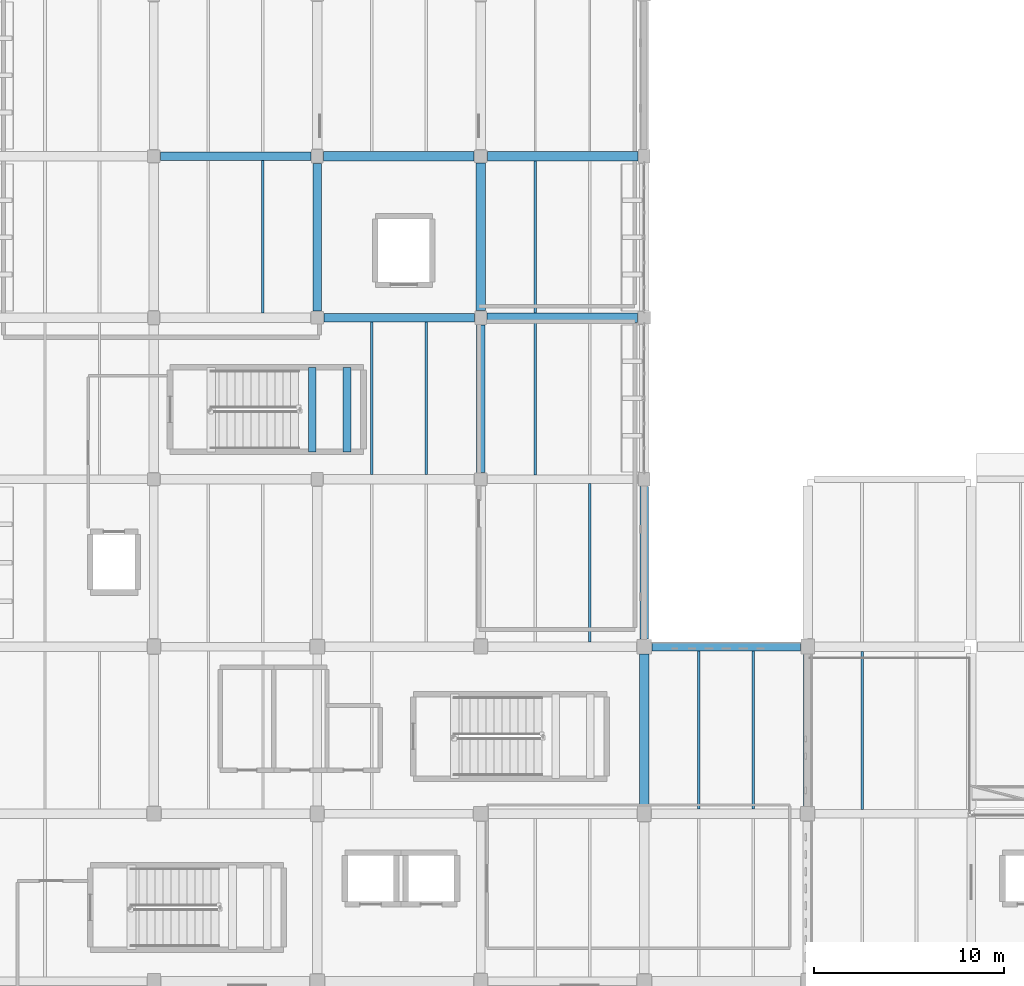
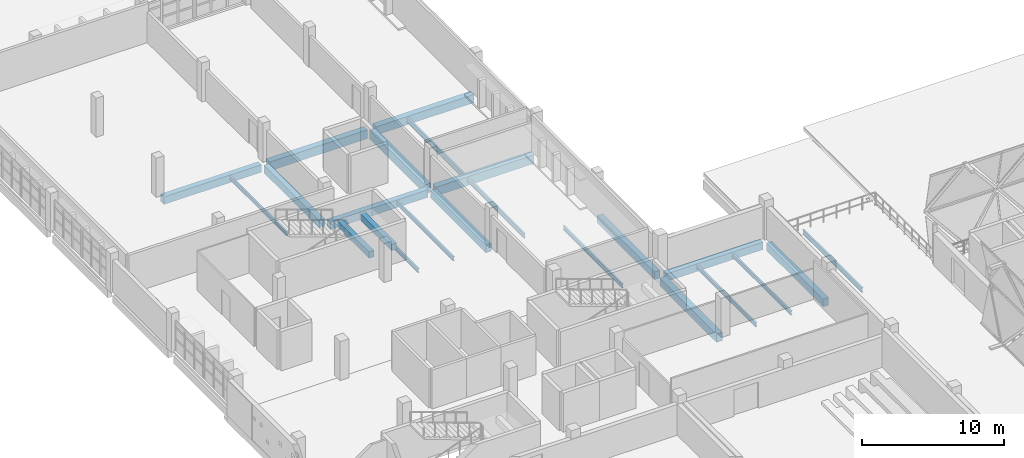
# One storey, part 17 of 93: 23 beams.
"""IFC4 building model written with IfcOpenShell, lengths in metres."""

import ifcopenshell
import ifcopenshell.guid

model = None  # the IFC model being written
_history = None  # IfcOwnerHistory: only IFC2X3 demands one
_inside = {}  # id of a spatial element -> (the spatial element, [elements in it])
_under = {}  # id of a project, library or spatial element -> (it, [spatial elements below it])
_declared = {}  # id of a project -> (the project, [libraries it declares])
_typed = {}  # id of a type object -> (the type object, [elements of that type])
_made_of = {}  # id of a material, layer set ... -> (it, [elements and type objects made of it])


def new_model(schema):
    """Start an empty IFC model of exactly this schema.

    Asked for "IFC4X3", IfcOpenShell would pick the latest addendum, in which some entities
    have other attributes; the version numbers below select the first issue.
    IFC2X3 requires an IfcOwnerHistory on every rooted entity: one is made here for all.
    """
    global model, _history
    if schema == "IFC4X3":
        model = ifcopenshell.file(schema_version=(4, 3, 0, 0))
    else:
        model = ifcopenshell.file(schema=schema)
    _inside.clear()
    _under.clear()
    _declared.clear()
    _typed.clear()
    _made_of.clear()
    _history = None
    if model.schema == "IFC2X3":
        org = make("IfcOrganization", Name="unknown")
        user = make(
            "IfcPersonAndOrganization",
            ThePerson=make("IfcPerson", FamilyName="unknown"),
            TheOrganization=org,
        )
        app = make(
            "IfcApplication",
            ApplicationDeveloper=org,
            Version="unknown",
            ApplicationFullName="unknown",
            ApplicationIdentifier="unknown",
        )
        _history = make(
            "IfcOwnerHistory",
            OwningUser=user,
            OwningApplication=app,
            ChangeAction="ADDED",
            CreationDate=0,
        )
    return model


def make(cls, **values):
    """One entity of the class cls with the attributes given. An attribute that is None is left unset."""
    return model.create_entity(
        cls, **{name: value for name, value in values.items() if value is not None}
    )


def rooted(cls, **values):
    """An entity with a GlobalId (a new one), such as an element, a storey or a relation."""
    return make(cls, GlobalId=ifcopenshell.guid.new(), OwnerHistory=_history, **values)


def si_unit(unit_type, name, prefix=None):
    """IfcSIUnit, for example si_unit("LENGTHUNIT", "METRE", prefix="MILLI")."""
    return make("IfcSIUnit", UnitType=unit_type, Prefix=prefix, Name=name)


def assignment(units):
    """IfcUnitAssignment: the units of a project."""
    return None if units is None else make("IfcUnitAssignment", Units=units)


def point(xyz):
    """IfcCartesianPoint."""
    return None if xyz is None else make("IfcCartesianPoint", Coordinates=xyz)


def direction(xyz):
    """IfcDirection."""
    return None if xyz is None else make("IfcDirection", DirectionRatios=xyz)


def frame(location, z_axis=None, x_axis=None):
    """IfcAxis2Placement3D, a coordinate frame: its origin and axes. An axis left out is left unset."""
    return make(
        "IfcAxis2Placement3D",
        Location=point(location),
        Axis=direction(z_axis),
        RefDirection=direction(x_axis),
    )


def frame_2d(location, x_axis=None):
    """IfcAxis2Placement2D, a coordinate frame in the plane: its origin and x axis."""
    return make(
        "IfcAxis2Placement2D", Location=point(location), RefDirection=direction(x_axis)
    )


def origin():
    """The frame at (0, 0, 0) with its axes left unset."""
    return frame((0.0, 0.0, 0.0))


def origin_2d():
    """The frame at (0, 0) in the plane with its x axis left unset."""
    return frame_2d((0.0, 0.0))


def place(relative_to, where):
    """IfcLocalPlacement: puts the frame where relative to a parent placement (None: the world)."""
    return make(
        "IfcLocalPlacement", PlacementRelTo=relative_to, RelativePlacement=where
    )


def context(
    kind, dimensions, precision=None, world=None, true_north=None, identifier=None
):
    """IfcGeometricRepresentationContext, for example the 3D "Model" context."""
    return make(
        "IfcGeometricRepresentationContext",
        ContextIdentifier=identifier,
        ContextType=kind,
        CoordinateSpaceDimension=dimensions,
        Precision=precision,
        WorldCoordinateSystem=world,
        TrueNorth=true_north,
    )


def subcontext(parent, identifier, kind, view, scale=None):
    """IfcGeometricRepresentationSubContext, for example "Body" below "Model"."""
    return make(
        "IfcGeometricRepresentationSubContext",
        ContextIdentifier=identifier,
        ContextType=kind,
        ParentContext=parent,
        TargetScale=scale,
        TargetView=view,
    )


def project(units=None, contexts=None):
    """IfcProject with its units and contexts."""
    return rooted(
        "IfcProject",
        Name="project",
        RepresentationContexts=contexts,
        UnitsInContext=assignment(units),
    )


def spatial(cls, under=None, at=None, **own):
    """A site, building, storey or space (cls), placed at a placement, below another one or the project."""
    s = rooted(cls, ObjectPlacement=at, **own)
    if under is not None:
        _under.setdefault(under.id(), (under, []))[1].append(s)
    return s


def profile(cls, at=None, kind="AREA", **sizes):
    """A parametric profile (cls). Its sizes go by their IFC names, for example OverallWidth=200.0."""
    return make(cls, ProfileType=kind, Position=at, **sizes)


def rectangle(**sizes):
    """IfcRectangleProfileDef."""
    return profile("IfcRectangleProfileDef", **sizes)


def i_section(**sizes):
    """IfcIShapeProfileDef."""
    return profile("IfcIShapeProfileDef", **sizes)


def extrude(swept, where, along, depth):
    """IfcExtrudedAreaSolid: the profile swept, set in the frame where, extruded along a direction by depth."""
    return make(
        "IfcExtrudedAreaSolid",
        SweptArea=swept,
        Position=where,
        ExtrudedDirection=direction(along),
        Depth=depth,
    )


def shape(context_of_items, identifier, shape_type, items):
    """IfcShapeRepresentation: the items that make up one representation, for example the "Body"."""
    return make(
        "IfcShapeRepresentation",
        ContextOfItems=context_of_items,
        RepresentationIdentifier=identifier,
        RepresentationType=shape_type,
        Items=items,
    )


def material(Name=None, Category=None):
    """IfcMaterial."""
    return make("IfcMaterial", Name=Name, Category=Category)


def material_profile(
    of_material, cross_section, Name=None, Category=None, Priority=None
):
    """IfcMaterialProfile: a cross section and its material."""
    return make(
        "IfcMaterialProfile",
        Name=Name,
        Material=of_material,
        Profile=cross_section,
        Priority=Priority,
        Category=Category,
    )


def profile_set(profiles, Name=None, composite=None):
    """IfcMaterialProfileSet."""
    return make(
        "IfcMaterialProfileSet",
        Name=Name,
        MaterialProfiles=profiles,
        CompositeProfile=composite,
    )


def made_of(thing, what):
    """Note that an element or type object is made of a material, layer set ...; save() writes the relation."""
    if what is not None:
        _made_of.setdefault(what.id(), (what, []))[1].append(thing)
    return thing


def type_object(cls, material=None, **own):
    """A type object (cls), such as IfcWallType, which elements share."""
    return made_of(rooted(cls, **own), material)


def element(
    cls,
    number,
    at=None,
    inside=None,
    cuts=None,
    type_object=None,
    material=None,
    context=None,
    identifier="Body",
    shape_type=None,
    held_by="IfcProductDefinitionShape",
    body=None,
    shapes=None,
    **own,
):
    """One element of the class cls, such as IfcWall. Its Tag is "e" and its number.

    at: its placement. inside: the storey or other place that contains it. cuts: it is an
    opening in that element (IfcRelVoidsElement). A single representation is given by context,
    identifier, shape_type and body (its items); several are given by shapes. held_by: the class
    of the entity that holds the representations. save() writes the other relations.
    """
    e = rooted(cls, Tag="e%d" % number, ObjectPlacement=at, **own)
    if body is not None:
        shapes = [shape(context, identifier, shape_type, body)]
    if shapes is not None:
        e.Representation = make(held_by, Representations=shapes)
    if inside is not None:
        _inside.setdefault(inside.id(), (inside, []))[1].append(e)
    if cuts is not None:
        rooted(
            "IfcRelVoidsElement", RelatingBuildingElement=cuts, RelatedOpeningElement=e
        )
    if type_object is not None:
        _typed.setdefault(type_object.id(), (type_object, []))[1].append(e)
    return made_of(e, material)


def aggregate(whole, parts):
    """IfcRelAggregates: a whole, such as a stair, and the parts it consists of."""
    return rooted("IfcRelAggregates", RelatingObject=whole, RelatedObjects=parts)


def save(model, path):
    """Write the relations noted so far, then the file.

    IfcRelAggregates (storeys below a building ...), IfcRelContainedInSpatialStructure (elements
    in a storey), IfcRelDefinesByType, IfcRelAssociatesMaterial and IfcRelDeclares: one each for
    every whole, place, type object, material and project.
    """
    for whole, parts in _under.values():
        aggregate(whole, parts)
    for where, things in _inside.values():
        rooted(
            "IfcRelContainedInSpatialStructure",
            RelatedElements=things,
            RelatingStructure=where,
        )
    for kind, things in _typed.values():
        rooted("IfcRelDefinesByType", RelatedObjects=things, RelatingType=kind)
    for what, things in _made_of.values():
        rooted("IfcRelAssociatesMaterial", RelatedObjects=things, RelatingMaterial=what)
    for by, libraries in _declared.values():
        rooted("IfcRelDeclares", RelatingContext=by, RelatedDefinitions=libraries)
    model.write(path)


model = new_model("IFC4")

# Units and contexts
model_context = context("Model", 3, precision=1e-05, world=origin(), true_north=direction((0.0, 1.0)))
body_context = subcontext(model_context, "Body", "Model", "MODEL_VIEW")
ifc_project = project(units=[si_unit("LENGTHUNIT", "METRE"), si_unit("AREAUNIT", "SQUARE_METRE"), si_unit("VOLUMEUNIT", "CUBIC_METRE"), si_unit("PLANEANGLEUNIT", "RADIAN"), si_unit("MASSUNIT", "GRAM", prefix="KILO")], contexts=[model_context])

# Site, building, storey
site_placement = place(None, origin())
site = spatial("IfcSite", under=ifc_project, at=site_placement, CompositionType="ELEMENT")
building_placement = place(site_placement, origin())
building = spatial("IfcBuilding", under=site, at=building_placement, Name="Varnakota Cinema and Media Centre", CompositionType="ELEMENT")
storey_placement = place(building_placement, frame((0.0, 0.0, 12.0)))
storey = spatial("IfcBuildingStorey", under=building, at=storey_placement, Name="L03", CompositionType="ELEMENT", Elevation=12.0)

# Beams
ifc_material_1 = material(Name="Concrete M35", Category="concrete")
ifc_material_profile_1 = material_profile(ifc_material_1, rectangle(XDim=0.39990234375, YDim=0.550048828125, at=origin_2d()), Name="RCB 400x550")
ifc_profile_set_1 = profile_set([ifc_material_profile_1], Name="Concrete M35")
beam_type_1 = type_object("IfcBeamType", Name="BM-RC-400x550", PredefinedType="BEAM", material=ifc_profile_set_1)
for number, where, z_axis, x_axis, name in (
    (1, (16.937255859375, 45.449951171875, 1.324951171875), (0.0, 1.0, 0.0), (-1.0, 0.0, 0.0), "L03 ST-03 landing support beam 1"),
    (2, (18.7626953125, 45.449951171875, 1.324951171875), (0.0, 1.0, 0.0), (-1.0, 0.0, 0.0), "L03 ST-03 landing support beam 2"),
):
    element("IfcBeam", number, at=place(storey_placement, frame(where, z_axis=z_axis, x_axis=x_axis)), inside=storey, type_object=beam_type_1, Name=name, PredefinedType="BEAM", context=body_context, shape_type="SweptSolid", body=[
        extrude(rectangle(XDim=0.39990234375, YDim=0.550048828125, at=origin_2d()), origin(), (0.0, 0.0, 1.0), 4.449951171875),
    ])
ifc_material_2 = material(Name="Concrete M35", Category="concrete")
ifc_material_profile_2 = material_profile(ifc_material_2, rectangle(XDim=0.449951171875, YDim=0.64990234375, at=origin_2d()), Name="RCB 450x650")
ifc_profile_set_2 = profile_set([ifc_material_profile_2], Name="Concrete M35")
beam_type_2 = type_object("IfcBeamType", Name="BM-RC-450x650", PredefinedType="BEAM", material=ifc_profile_set_2)
beam_1_placement = place(storey_placement, frame((34.800048828125, 35.199951171875, -0.5849609375), z_axis=(1.0, 0.0, 0.0), x_axis=(0.0, 1.0, 0.0)))
element("IfcBeam", 3, at=beam_1_placement, inside=storey, type_object=beam_type_2, Name="L03 girder E-F/5", PredefinedType="BEAM", context=body_context, shape_type="SweptSolid", body=[
    extrude(rectangle(XDim=0.449951171875, YDim=0.64990234375, at=origin_2d()), origin(), (0.0, 0.0, 1.0), 7.824951171875),
])
for number, where, z_axis, x_axis, name in (
    (4, (17.550048828125, 52.5, -0.5849609375), (1.0, 0.0, 0.0), (0.0, 1.0, 0.0), "L03 girder C-D/7"),
    (5, (8.949951171875, 61.0, -0.5849609375), (1.0, 0.0, 0.0), (0.0, 1.0, 0.0), "L03 girder B-C/8"),
):
    element("IfcBeam", number, at=place(storey_placement, frame(where, z_axis=z_axis, x_axis=x_axis)), inside=storey, type_object=beam_type_2, Name=name, PredefinedType="BEAM", context=body_context, shape_type="SweptSolid", body=[
        extrude(rectangle(XDim=0.449951171875, YDim=0.64990234375, at=origin_2d()), origin(), (0.0, 0.0, 1.0), 7.925048828125),
    ])
for number, where, z_axis, x_axis, name in (
    (6, (17.199951171875, 52.85009765625, -0.5849609375), (0.0, 1.0, 0.0), (-1.0, 0.0, 0.0), "L03 girder C/7-8"),
    (7, (25.800048828125, 44.35009765625, -0.5849609375), (0.0, 1.0, 0.0), (-1.0, 0.0, 0.0), "L03 girder D/6-7"),
):
    element("IfcBeam", number, at=place(storey_placement, frame(where, z_axis=z_axis, x_axis=x_axis)), inside=storey, type_object=beam_type_2, Name=name, PredefinedType="BEAM", context=body_context, shape_type="SweptSolid", body=[
        extrude(rectangle(XDim=0.449951171875, YDim=0.64990234375, at=origin_2d()), origin(), (0.0, 0.0, 1.0), 7.77490234375),
    ])
beam_2_placement = place(storey_placement, frame((34.39990234375, 35.60009765625, -0.5849609375), z_axis=(0.0, 1.0, 0.0), x_axis=(-1.0, 0.0, 0.0)))
element("IfcBeam", 8, at=beam_2_placement, inside=storey, type_object=beam_type_2, Name="L03 girder E/5-6", PredefinedType="BEAM", context=body_context, shape_type="SweptSolid", body=[
    extrude(rectangle(XDim=0.449951171875, YDim=0.64990234375, at=origin_2d()), origin(), (0.0, 0.0, 1.0), 8.02490234375),
])
beam_3_placement = place(storey_placement, frame((43.0, 26.800048828125, -0.5849609375), z_axis=(0.0, 1.0, 0.0), x_axis=(-1.0, 0.0, 0.0)))
element("IfcBeam", 9, at=beam_3_placement, inside=storey, type_object=beam_type_2, Name="L03 girder F/4-5", PredefinedType="BEAM", context=body_context, shape_type="SweptSolid", body=[
    extrude(rectangle(XDim=0.449951171875, YDim=0.64990234375, at=origin_2d()), origin(), (0.0, 0.0, 1.0), 7.974853515625),
])
ifc_material_3 = material(Name="Concrete M35", Category="concrete")
ifc_material_profile_3 = material_profile(ifc_material_3, rectangle(XDim=0.5, YDim=0.699951171875, at=origin_2d()), Name="RCB 500x700")
ifc_profile_set_3 = profile_set([ifc_material_profile_3], Name="Concrete M35")
beam_type_3 = type_object("IfcBeamType", Name="BM-RC-500x700", PredefinedType="BEAM", material=ifc_profile_set_3)
beam_4_placement = place(storey_placement, frame((26.14990234375, 61.0, -0.610107421875), z_axis=(1.0, 0.0, 0.0), x_axis=(0.0, 1.0, 0.0)))
element("IfcBeam", 10, at=beam_4_placement, inside=storey, type_object=beam_type_3, Name="L03 girder D-E/8", PredefinedType="BEAM", context=body_context, shape_type="SweptSolid", body=[
    extrude(rectangle(XDim=0.5, YDim=0.699951171875, at=origin_2d()), origin(), (0.0, 0.0, 1.0), 7.925048828125),
])
beam_5_placement = place(storey_placement, frame((34.39990234375, 26.824951171875, -0.610107421875), z_axis=(0.0, 1.0, 0.0), x_axis=(-1.0, 0.0, 0.0)))
element("IfcBeam", 11, at=beam_5_placement, inside=storey, type_object=beam_type_3, Name="L03 girder E/4-5", PredefinedType="BEAM", context=body_context, shape_type="SweptSolid", body=[
    extrude(rectangle(XDim=0.5, YDim=0.699951171875, at=origin_2d()), origin(), (0.0, 0.0, 1.0), 7.97509765625),
])
ifc_material_4 = material(Name="Concrete M35", Category="concrete")
ifc_material_profile_4 = material_profile(ifc_material_4, rectangle(XDim=0.5, YDim=0.75, at=origin_2d()), Name="RCB 500x750")
ifc_profile_set_4 = profile_set([ifc_material_profile_4], Name="Concrete M35")
beam_type_4 = type_object("IfcBeamType", Name="BM-RC-500x750", PredefinedType="BEAM", material=ifc_profile_set_4)
for number, where, z_axis, x_axis, name in (
    (12, (26.125, 52.5, -0.635009765625), (1.0, 0.0, 0.0), (0.0, 1.0, 0.0), "L03 girder D-E/7"),
    (13, (17.52490234375, 61.0, -0.635009765625), (1.0, 0.0, 0.0), (0.0, 1.0, 0.0), "L03 girder C-D/8"),
):
    element("IfcBeam", number, at=place(storey_placement, frame(where, z_axis=z_axis, x_axis=x_axis)), inside=storey, type_object=beam_type_4, Name=name, PredefinedType="BEAM", context=body_context, shape_type="SweptSolid", body=[
        extrude(rectangle(XDim=0.5, YDim=0.75, at=origin_2d()), origin(), (0.0, 0.0, 1.0), 7.925048828125),
    ])
beam_6_placement = place(storey_placement, frame((25.800048828125, 52.875, -0.635009765625), z_axis=(0.0, 1.0, 0.0), x_axis=(-1.0, 0.0, 0.0)))
element("IfcBeam", 14, at=beam_6_placement, inside=storey, type_object=beam_type_4, Name="L03 girder D/7-8", PredefinedType="BEAM", context=body_context, shape_type="SweptSolid", body=[
    extrude(rectangle(XDim=0.5, YDim=0.75, at=origin_2d()), origin(), (0.0, 0.0, 1.0), 7.77490234375),
])
ifc_material_5 = material(Name="Structural steel Grade 350 (E350)", Category="steel")
ifc_material_profile_5 = material_profile(ifc_material_5, i_section(OverallWidth=0.139892578125, OverallDepth=0.35009765625, WebThickness=0.008056640625, FlangeThickness=0.01416015625, FilletRadius=0.013916015625, at=origin_2d()), Name="ISMB 350")
ifc_profile_set_5 = profile_set([ifc_material_profile_5], Name="Structural steel Grade 350 (E350)")
beam_type_5 = type_object("IfcBeamType", Name="BM-ST-ISMB350", PredefinedType="JOIST", material=ifc_profile_set_5)
for number, where, z_axis, x_axis, name in (
    (15, (14.333251953125, 52.75, -0.43505859375), (0.0, 1.0, 0.0), (-1.0, 0.0, 0.0), "L03 steel joist B-C/7-8 #2"),
    (16, (20.066650390625, 44.25, -0.43505859375), (0.0, 1.0, 0.0), (-1.0, 0.0, 0.0), "L03 steel joist C-D/6-7 #1"),
    (17, (22.933349609375, 44.25, -0.43505859375), (0.0, 1.0, 0.0), (-1.0, 0.0, 0.0), "L03 steel joist C-D/6-7 #2"),
):
    element("IfcBeam", number, at=place(storey_placement, frame(where, z_axis=z_axis, x_axis=x_axis)), inside=storey, type_object=beam_type_5, Name=name, PredefinedType="JOIST", context=body_context, shape_type="SweptSolid", body=[
        extrude(i_section(OverallWidth=0.139892578125, OverallDepth=0.35009765625, WebThickness=0.008056640625, FlangeThickness=0.01416015625, FilletRadius=0.013916015625, at=origin_2d()), origin(), (0.0, 0.0, 1.0), 8.02490234375),
    ])
beam_7_placement = place(storey_placement, frame((31.533203125, 35.449951171875, -0.43505859375), z_axis=(0.0, 1.0, 0.0), x_axis=(-1.0, 0.0, 0.0)))
element("IfcBeam", 18, at=beam_7_placement, inside=storey, type_object=beam_type_5, Name="L03 steel joist D-E/5-6 #2", PredefinedType="JOIST", context=body_context, shape_type="SweptSolid", body=[
    extrude(i_section(OverallWidth=0.139892578125, OverallDepth=0.35009765625, WebThickness=0.008056640625, FlangeThickness=0.01416015625, FilletRadius=0.013916015625, at=origin_2d()), origin(), (0.0, 0.0, 1.0), 8.324951171875),
])
for number, where, z_axis, x_axis, name in (
    (19, (37.2666015625, 26.64990234375, -0.43505859375), (0.0, 1.0, 0.0), (-1.0, 0.0, 0.0), "L03 steel joist E-F/4-5 #1"),
    (20, (40.13330078125, 26.64990234375, -0.43505859375), (0.0, 1.0, 0.0), (-1.0, 0.0, 0.0), "L03 steel joist E-F/4-5 #2"),
):
    element("IfcBeam", number, at=place(storey_placement, frame(where, z_axis=z_axis, x_axis=x_axis)), inside=storey, type_object=beam_type_5, Name=name, PredefinedType="JOIST", context=body_context, shape_type="SweptSolid", body=[
        extrude(i_section(OverallWidth=0.139892578125, OverallDepth=0.35009765625, WebThickness=0.008056640625, FlangeThickness=0.01416015625, FilletRadius=0.013916015625, at=origin_2d()), origin(), (0.0, 0.0, 1.0), 8.3251953125),
    ])
ifc_material_6 = material(Name="Structural steel Grade 350 (E350)", Category="steel")
ifc_material_profile_6 = material_profile(ifc_material_6, i_section(OverallWidth=0.139892578125, OverallDepth=0.39990234375, WebThickness=0.0087890625, FlangeThickness=0.01611328125, FilletRadius=0.013916015625, at=origin_2d()), Name="ISMB 400")
ifc_profile_set_6 = profile_set([ifc_material_profile_6], Name="Structural steel Grade 350 (E350)")
beam_type_6 = type_object("IfcBeamType", Name="BM-ST-ISMB400", PredefinedType="JOIST", material=ifc_profile_set_6)
beam_8_placement = place(storey_placement, frame((28.666748046875, 44.22509765625, -0.4599609375), z_axis=(0.0, 1.0, 0.0), x_axis=(-1.0, 0.0, 0.0)))
element("IfcBeam", 21, at=beam_8_placement, inside=storey, type_object=beam_type_6, Name="L03 steel joist D-E/6-7 #1", PredefinedType="JOIST", context=body_context, shape_type="SweptSolid", body=[
    extrude(i_section(OverallWidth=0.139892578125, OverallDepth=0.39990234375, WebThickness=0.0087890625, FlangeThickness=0.01611328125, FilletRadius=0.013916015625, at=origin_2d()), origin(), (0.0, 0.0, 1.0), 8.02490234375),
])
beam_9_placement = place(storey_placement, frame((45.86669921875, 26.625, -0.4599609375), z_axis=(0.0, 1.0, 0.0), x_axis=(-1.0, 0.0, 0.0)))
element("IfcBeam", 22, at=beam_9_placement, inside=storey, type_object=beam_type_6, Name="L03 steel joist F-G/4-5 #1", PredefinedType="JOIST", context=body_context, shape_type="SweptSolid", body=[
    extrude(i_section(OverallWidth=0.139892578125, OverallDepth=0.39990234375, WebThickness=0.0087890625, FlangeThickness=0.01611328125, FilletRadius=0.013916015625, at=origin_2d()), origin(), (0.0, 0.0, 1.0), 8.324951171875),
])
ifc_material_7 = material(Name="Structural steel Grade 350 (E350)", Category="steel")
ifc_material_profile_7 = material_profile(ifc_material_7, i_section(OverallWidth=0.14990234375, OverallDepth=0.449951171875, WebThickness=0.009521484375, FlangeThickness=0.017333984375, FilletRadius=0.014892578125, at=origin_2d()), Name="ISMB 450")
ifc_profile_set_7 = profile_set([ifc_material_profile_7], Name="Structural steel Grade 350 (E350)")
beam_type_7 = type_object("IfcBeamType", Name="BM-ST-ISMB450", PredefinedType="BEAM", material=ifc_profile_set_7)
beam_10_placement = place(storey_placement, frame((28.666748046875, 52.75, -0.485107421875), z_axis=(0.0, 1.0, 0.0), x_axis=(-1.0, 0.0, 0.0)))
element("IfcBeam", 23, at=beam_10_placement, inside=storey, type_object=beam_type_7, Name="L03 steel joist D-E/7-8 #1", PredefinedType="BEAM", context=body_context, shape_type="SweptSolid", body=[
    extrude(i_section(OverallWidth=0.14990234375, OverallDepth=0.449951171875, WebThickness=0.009521484375, FlangeThickness=0.017333984375, FilletRadius=0.014892578125, at=origin_2d()), origin(), (0.0, 0.0, 1.0), 8.0),
])

save(model, "model.ifc")
